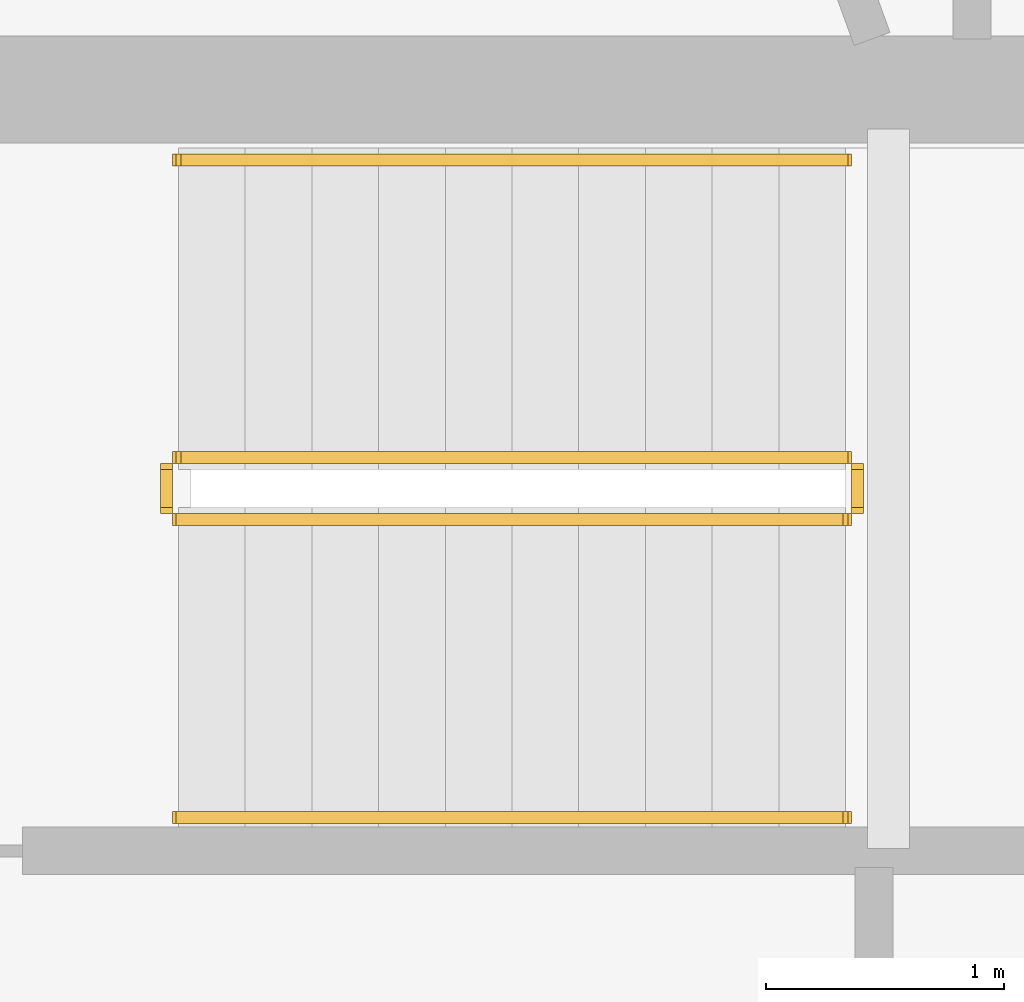
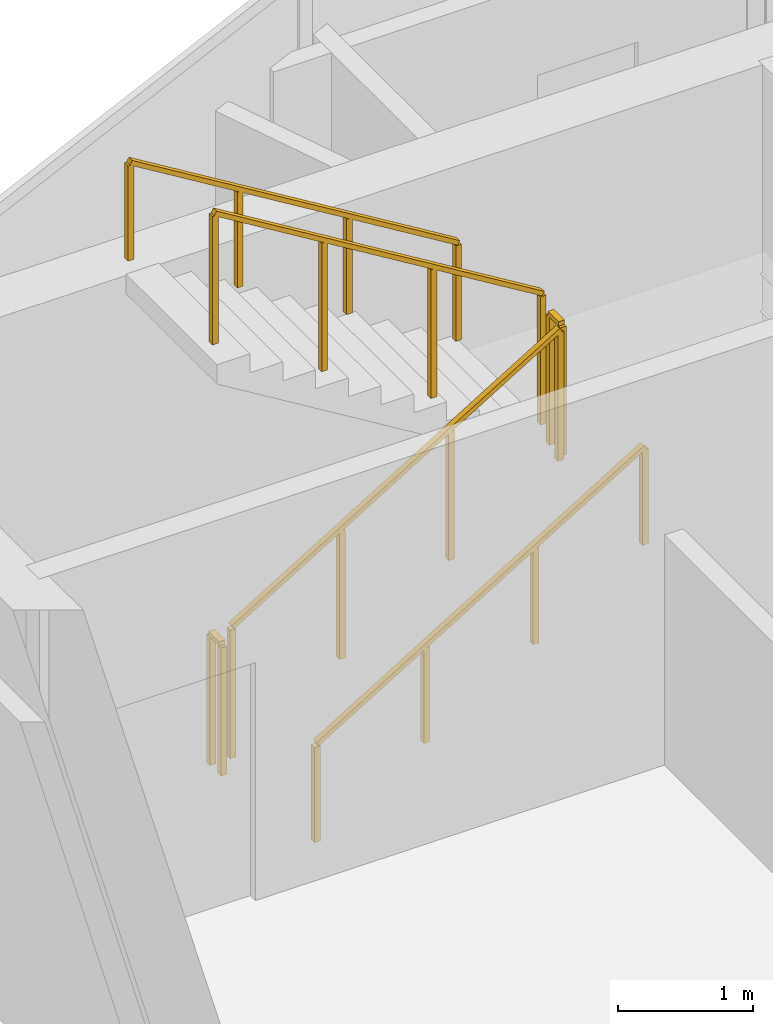
# One storey, part 14 of 14: 6 railings.
"""IFC4 building model written with IfcOpenShell, lengths in metres."""

from ifc_helpers import new_model, si_unit, direction, frame, origin, origin_2d, place, context, subcontext, project, spatial, rectangle, extrude, material, type_object, element, save


model = new_model("IFC4")

# Units and contexts
model_context = context("Model", 3, precision=1e-05, world=origin(), true_north=direction((0.0, 1.0)))
body_context = subcontext(model_context, "Body", "Model", "MODEL_VIEW")
ifc_project = project(units=[si_unit("LENGTHUNIT", "METRE"), si_unit("AREAUNIT", "SQUARE_METRE"), si_unit("VOLUMEUNIT", "CUBIC_METRE"), si_unit("PLANEANGLEUNIT", "RADIAN"), si_unit("MASSUNIT", "GRAM", prefix="KILO")], contexts=[model_context])

# Site, building, storey
site_placement = place(None, origin())
site = spatial("IfcSite", under=ifc_project, at=site_placement, CompositionType="ELEMENT")
building_placement = place(site_placement, origin())
building = spatial("IfcBuilding", under=site, at=building_placement, Name="Qianvela Tower", CompositionType="ELEMENT")
storey_placement = place(building_placement, frame((0.0, 0.0, 371.300048828125)))
storey = spatial("IfcBuildingStorey", under=building, at=storey_placement, Name="L96", CompositionType="ELEMENT", Elevation=371.300048828125)

# Railings
ifc_material_1 = material(Name="Painted Tubular Steel Q355B", Category="steel")
railing_type_1 = type_object("IfcRailingType", Name="RL-STAIR-GUARD-1200", PredefinedType="GUARDRAIL", material=ifc_material_1)
railing_1_placement = place(storey_placement, frame((32.199951171875, 30.840087890625, 0.17041015625)))
element("IfcRailing", 1, at=railing_1_placement, inside=storey, type_object=railing_type_1, Name="L96 ST-1 stair guard 1", PredefinedType="GUARDRAIL", context=body_context, shape_type="SweptSolid", body=[
    extrude(rectangle(XDim=0.050048828125, YDim=0.0400390625, at=origin_2d()), frame((0.0, 0.0, 1.179931640625), z_axis=(0.854169791009, 0.0, 0.51999420009), x_axis=(0.0, 1.0, 0.0)), (0.0, 0.0, 1.0), 3.278076171875),
    extrude(rectangle(XDim=0.050048828125, YDim=0.050048828125, at=origin_2d()), origin(), (0.0, 0.0, 1.0), 1.159912109375),
    extrude(rectangle(XDim=0.050048828125, YDim=0.050048828125, at=origin_2d()), frame((0.933349609375, 0.0, 0.568115234375)), (0.0, 0.0, 1.0), 1.159912109375),
    extrude(rectangle(XDim=0.050048828125, YDim=0.050048828125, at=origin_2d()), frame((1.86669921875, 0.0, 1.136474609375)), (0.0, 0.0, 1.0), 1.159912109375),
    extrude(rectangle(XDim=0.050048828125, YDim=0.050048828125, at=origin_2d()), frame((2.800048828125, 0.0, 1.70458984375)), (0.0, 0.0, 1.0), 1.159912109375),
])
railing_2_placement = place(storey_placement, frame((35.050048828125, 30.889892578125, 1.875)))
element("IfcRailing", 2, at=railing_2_placement, inside=storey, type_object=railing_type_1, Name="L96 ST-1 stair guard 2", PredefinedType="GUARDRAIL", context=body_context, shape_type="SweptSolid", body=[
    extrude(rectangle(XDim=0.050048828125, YDim=0.0400390625, at=origin_2d()), frame((0.0, 0.0, 1.179931640625), z_axis=(0.0, 1.0, 0.0), x_axis=(-1.0, 0.0, 0.0)), (0.0, 0.0, 1.0), 0.16015625),
    extrude(rectangle(XDim=0.050048828125, YDim=0.050048828125, at=origin_2d()), origin(), (0.0, 0.0, 1.0), 1.159912109375),
    extrude(rectangle(XDim=0.050048828125, YDim=0.050048828125, at=origin_2d()), frame((0.0, 0.16015625, 0.0)), (0.0, 0.0, 1.0), 1.159912109375),
])
railing_3_placement = place(storey_placement, frame((35.0, 31.10009765625, 2.04541015625)))
element("IfcRailing", 3, at=railing_3_placement, inside=storey, type_object=railing_type_1, Name="L96 ST-1 stair guard 3", PredefinedType="GUARDRAIL", context=body_context, shape_type="SweptSolid", body=[
    extrude(rectangle(XDim=0.050048828125, YDim=0.0400390625, at=origin_2d()), frame((0.0, 0.0, 1.179931640625), z_axis=(-0.854169791009, 0.0, 0.51999420009), x_axis=(0.0, -1.0, 0.0)), (0.0, 0.0, 1.0), 3.278076171875),
    extrude(rectangle(XDim=0.050048828125, YDim=0.050048828125, at=origin_2d()), origin(), (0.0, 0.0, 1.0), 1.159912109375),
    extrude(rectangle(XDim=0.050048828125, YDim=0.050048828125, at=origin_2d()), frame((-0.933349609375, 0.0, 0.568115234375)), (0.0, 0.0, 1.0), 1.159912109375),
    extrude(rectangle(XDim=0.050048828125, YDim=0.050048828125, at=origin_2d()), frame((-1.86669921875, 0.0, 1.136474609375)), (0.0, 0.0, 1.0), 1.159912109375),
    extrude(rectangle(XDim=0.050048828125, YDim=0.050048828125, at=origin_2d()), frame((-2.800048828125, 0.0, 1.70458984375)), (0.0, 0.0, 1.0), 1.159912109375),
])
railing_4_placement = place(storey_placement, frame((32.14990234375, 30.889892578125, 0.0)))
element("IfcRailing", 4, at=railing_4_placement, inside=storey, type_object=railing_type_1, Name="L96 ST-1 stair guard 4", PredefinedType="GUARDRAIL", context=body_context, shape_type="SweptSolid", body=[
    extrude(rectangle(XDim=0.050048828125, YDim=0.0400390625, at=origin_2d()), frame((0.0, 0.0, 1.179931640625), z_axis=(0.0, 1.0, 0.0), x_axis=(-1.0, 0.0, 0.0)), (0.0, 0.0, 1.0), 0.16015625),
    extrude(rectangle(XDim=0.050048828125, YDim=0.050048828125, at=origin_2d()), origin(), (0.0, 0.0, 1.0), 1.159912109375),
    extrude(rectangle(XDim=0.050048828125, YDim=0.050048828125, at=origin_2d()), frame((0.0, 0.16015625, 0.0)), (0.0, 0.0, 1.0), 1.159912109375),
])
ifc_material_2 = material(Name="Brushed Stainless Steel 304", Category="steel")
railing_type_2 = type_object("IfcRailingType", Name="RL-STAIR-HANDRAIL-900", PredefinedType="HANDRAIL", material=ifc_material_2)
railing_5_placement = place(storey_placement, frame((32.199951171875, 29.590087890625, 0.17041015625)))
element("IfcRailing", 5, at=railing_5_placement, inside=storey, type_object=railing_type_2, Name="L96 ST-1 stair handrail 1", PredefinedType="HANDRAIL", context=body_context, shape_type="SweptSolid", body=[
    extrude(rectangle(XDim=0.050048828125, YDim=0.0400390625, at=origin_2d()), frame((0.0, 0.0, 0.8798828125), z_axis=(0.854169791009, 0.0, 0.51999420009), x_axis=(0.0, 1.0, 0.0)), (0.0, 0.0, 1.0), 3.278076171875),
    extrude(rectangle(XDim=0.050048828125, YDim=0.050048828125, at=origin_2d()), origin(), (0.0, 0.0, 1.0), 0.85986328125),
    extrude(rectangle(XDim=0.050048828125, YDim=0.050048828125, at=origin_2d()), frame((0.933349609375, 0.0, 0.568115234375)), (0.0, 0.0, 1.0), 0.85986328125),
    extrude(rectangle(XDim=0.050048828125, YDim=0.050048828125, at=origin_2d()), frame((1.86669921875, 0.0, 1.136474609375)), (0.0, 0.0, 1.0), 0.85986328125),
    extrude(rectangle(XDim=0.050048828125, YDim=0.050048828125, at=origin_2d()), frame((2.800048828125, 0.0, 1.70458984375)), (0.0, 0.0, 1.0), 0.85986328125),
])
railing_6_placement = place(storey_placement, frame((35.0, 32.35009765625, 2.04541015625)))
element("IfcRailing", 6, at=railing_6_placement, inside=storey, type_object=railing_type_2, Name="L96 ST-1 stair handrail 2", PredefinedType="HANDRAIL", context=body_context, shape_type="SweptSolid", body=[
    extrude(rectangle(XDim=0.050048828125, YDim=0.0400390625, at=origin_2d()), frame((0.0, 0.0, 0.8798828125), z_axis=(-0.854169791009, 0.0, 0.51999420009), x_axis=(0.0, -1.0, 0.0)), (0.0, 0.0, 1.0), 3.278076171875),
    extrude(rectangle(XDim=0.050048828125, YDim=0.050048828125, at=origin_2d()), origin(), (0.0, 0.0, 1.0), 0.85986328125),
    extrude(rectangle(XDim=0.050048828125, YDim=0.050048828125, at=origin_2d()), frame((-0.933349609375, 0.0, 0.568115234375)), (0.0, 0.0, 1.0), 0.85986328125),
    extrude(rectangle(XDim=0.050048828125, YDim=0.050048828125, at=origin_2d()), frame((-1.86669921875, 0.0, 1.136474609375)), (0.0, 0.0, 1.0), 0.85986328125),
    extrude(rectangle(XDim=0.050048828125, YDim=0.050048828125, at=origin_2d()), frame((-2.800048828125, 0.0, 1.70458984375)), (0.0, 0.0, 1.0), 0.85986328125),
])

save(model, "model.ifc")
